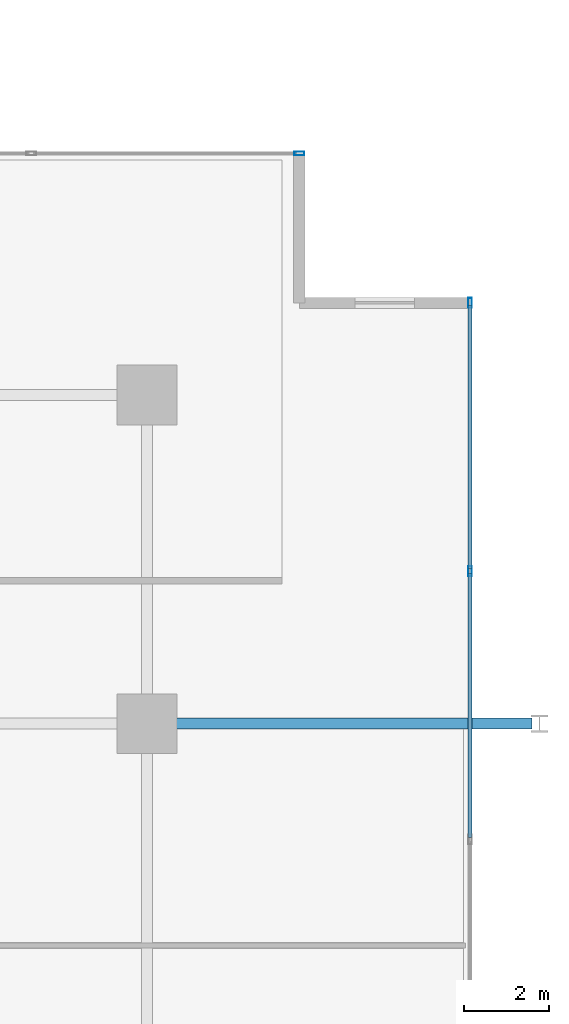
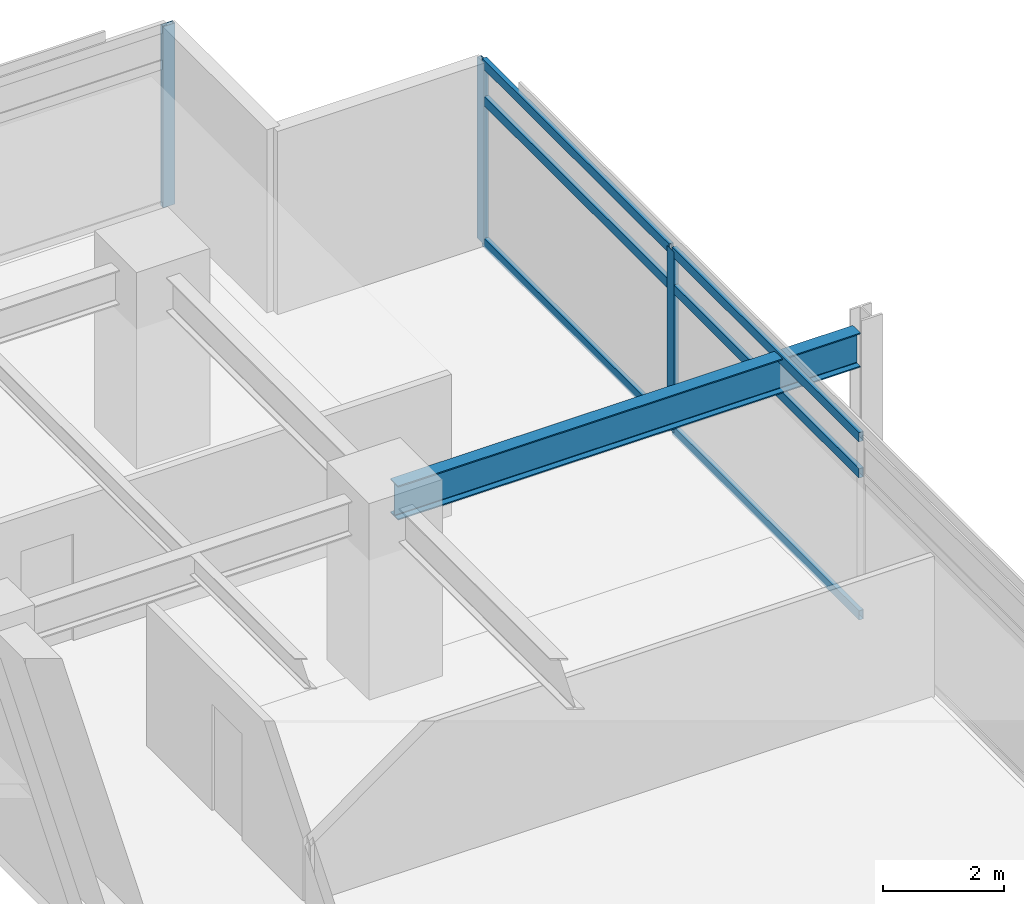
# One storey, part 12 of 22: 9 members, 1 beam, 2 elements without a shape of their own.
"""IFC4 building model written with IfcOpenShell, lengths in metres."""

from ifc_helpers import new_model, si_unit, direction, frame, origin, origin_2d, place, context, subcontext, project, spatial, hollow_rectangle, i_section, extrude, material, material_profile, profile_set, type_object, element, aggregate, save


model = new_model("IFC4")

# Units and contexts
model_context = context("Model", 3, precision=1e-05, world=origin(), true_north=direction((0.0, 1.0)))
body_context = subcontext(model_context, "Body", "Model", "MODEL_VIEW")
ifc_project = project(units=[si_unit("LENGTHUNIT", "METRE"), si_unit("AREAUNIT", "SQUARE_METRE"), si_unit("VOLUMEUNIT", "CUBIC_METRE"), si_unit("PLANEANGLEUNIT", "RADIAN"), si_unit("MASSUNIT", "GRAM", prefix="KILO")], contexts=[model_context])

# Site, building, storey
site_placement = place(None, origin())
site = spatial("IfcSite", under=ifc_project, at=site_placement, CompositionType="ELEMENT")
building_placement = place(site_placement, origin())
building = spatial("IfcBuilding", under=site, at=building_placement, Name="Kovane Verandah Tower", CompositionType="ELEMENT")
storey_placement = place(building_placement, frame((0.0, 0.0, 229.199951171875)))
storey = spatial("IfcBuildingStorey", under=building, at=storey_placement, Name="L53", CompositionType="ELEMENT", Elevation=229.199951171875)

# Beam
ifc_material_1 = material(Name="Steel S355", Category="steel")
ifc_material_profile_1 = material_profile(ifc_material_1, i_section(OverallWidth=0.255859375, OverallDepth=0.69287109375, WebThickness=0.014404296875, FlangeThickness=0.023681640625, FilletRadius=0.01513671875, at=origin_2d()), Name="UB686x254x170")
ifc_profile_set_1 = profile_set([ifc_material_profile_1], Name="Steel S355")
beam_type = type_object("IfcBeamType", Name="BM-UB686x170", PredefinedType="BEAM", material=ifc_profile_set_1)
beam_placement = place(storey_placement, frame((58.580078125, 36.5, 3.353759765625), z_axis=(1.0, 0.0, 0.0), x_axis=(0.0, 1.0, 0.0)))
element("IfcBeam", 1, at=beam_placement, inside=storey, type_object=beam_type, Name="L53 Primary Tower Girder G-VE2", PredefinedType="BEAM", context=body_context, shape_type="SweptSolid", body=[
    extrude(i_section(OverallWidth=0.255859375, OverallDepth=0.69287109375, WebThickness=0.014404296875, FlangeThickness=0.023681640625, FilletRadius=0.01513671875, at=origin_2d()), origin(), (0.0, 0.0, 1.0), 8.83984375),
])

# Curtain wall, members
ifc_material_2 = material(Name="Champagne Anodised Aluminium Frame with Low-E Clear Laminated Glass", Category="aluminium")
curtain_wall_type = type_object("IfcCurtainWallType", Name="CW-SYS-03-MID", PredefinedType="NOTDEFINED", material=ifc_material_2)
curtain_wall_1_placement = place(storey_placement, origin())
curtain_wall_1 = element("IfcCurtainWall", 2, at=curtain_wall_1_placement, inside=storey, type_object=curtain_wall_type, Name="L53 E Unitised Curtain Wall", PredefinedType="NOTDEFINED")
ifc_material_3 = material(Name="Champagne Anodised Aluminium 6063-T6", Category="aluminium")
ifc_material_profile_2 = material_profile(ifc_material_3, hollow_rectangle(XDim=0.0849609375, YDim=0.22998046875, WallThickness=0.00390625, at=origin_2d()), Name="AL85x230x4")
ifc_profile_set_2 = profile_set([ifc_material_profile_2], Name="Champagne Anodised Aluminium 6063-T6")
member_type_1 = type_object("IfcMemberType", Name="CW-MUL-85x230", PredefinedType="MULLION", material=ifc_profile_set_2)
member_1_placement = place(storey_placement, frame((65.96923828125, 40.073486328125, 0.02001953125), z_axis=(0.0, 0.0, 1.0), x_axis=(1.0, 0.0, 0.0)))
member_1 = element("IfcMember", 3, at=member_1_placement, type_object=member_type_1, Name="L53 E Unitised Curtain Wall Mullion 6", PredefinedType="MULLION", context=body_context, shape_type="SweptSolid", body=[
    extrude(hollow_rectangle(XDim=0.0849609375, YDim=0.22998046875, WallThickness=0.00390625, at=origin_2d()), origin(), (0.0, 0.0, 1.0), 3.659912109375),
])
member_2_placement = place(storey_placement, frame((65.96923828125, 46.360107421875, 0.02001953125), z_axis=(0.0, 0.0, 1.0), x_axis=(1.0, 0.0, 0.0)))
member_2 = element("IfcMember", 4, at=member_2_placement, type_object=member_type_1, Name="L53 E Unitised Curtain Wall Mullion 7", PredefinedType="MULLION", context=body_context, shape_type="SweptSolid", body=[
    extrude(hollow_rectangle(XDim=0.0849609375, YDim=0.22998046875, WallThickness=0.00390625, at=origin_2d()), origin(), (0.0, 0.0, 1.0), 3.659912109375),
])

# Curtain wall, member
curtain_wall_2_placement = place(storey_placement, origin())
curtain_wall_2 = element("IfcCurtainWall", 5, at=curtain_wall_2_placement, inside=storey, type_object=curtain_wall_type, Name="L53 N Unitised Curtain Wall", PredefinedType="NOTDEFINED")
member_3_placement = place(storey_placement, frame((61.96923828125, 49.860107421875, 0.02001953125), z_axis=(0.0, 0.0, 1.0), x_axis=(0.0, 1.0, 0.0)))
member_3 = element("IfcMember", 6, at=member_3_placement, type_object=member_type_1, Name="L53 N Unitised Curtain Wall Mullion 1", PredefinedType="MULLION", context=body_context, shape_type="SweptSolid", body=[
    extrude(hollow_rectangle(XDim=0.0849609375, YDim=0.22998046875, WallThickness=0.00390625, at=origin_2d()), origin(), (0.0, 0.0, 1.0), 3.659912109375),
])
aggregate(curtain_wall_2, [member_3])

# Member
ifc_material_profile_3 = material_profile(ifc_material_3, hollow_rectangle(XDim=0.0849609375, YDim=0.18994140625, WallThickness=0.00390625, at=origin_2d()), Name="AL85x190x4")
ifc_profile_set_3 = profile_set([ifc_material_profile_3], Name="Champagne Anodised Aluminium 6063-T6")
member_type_2 = type_object("IfcMemberType", Name="CW-TRN-85x190", PredefinedType="USERDEFINED", material=ifc_profile_set_3)
member_4_placement = place(storey_placement, frame((65.96923828125, 33.836669921875, 0.050048828125), z_axis=(0.0, 1.0, 0.0), x_axis=(-1.0, 0.0, 0.0)))
member_4 = element("IfcMember", 7, at=member_4_placement, type_object=member_type_2, Name="L53 E Unitised Curtain Wall Transom TB Bay 5", ObjectType="TRANSOM", PredefinedType="USERDEFINED", context=body_context, shape_type="SweptSolid", body=[
    extrude(hollow_rectangle(XDim=0.0849609375, YDim=0.18994140625, WallThickness=0.00390625, at=origin_2d()), origin(), (0.0, 0.0, 1.0), 6.186767578125),
])

member_5_placement = place(storey_placement, frame((65.96923828125, 33.836669921875, 2.920166015625), z_axis=(0.0, 1.0, 0.0), x_axis=(-1.0, 0.0, 0.0)))
member_5 = element("IfcMember", 8, at=member_5_placement, type_object=member_type_2, Name="L53 E Unitised Curtain Wall Transom TM Bay 5", ObjectType="TRANSOM", PredefinedType="USERDEFINED", context=body_context, shape_type="SweptSolid", body=[
    extrude(hollow_rectangle(XDim=0.0849609375, YDim=0.18994140625, WallThickness=0.00390625, at=origin_2d()), origin(), (0.0, 0.0, 1.0), 6.186767578125),
])

member_6_placement = place(storey_placement, frame((65.96923828125, 33.836669921875, 3.650146484375), z_axis=(0.0, 1.0, 0.0), x_axis=(-1.0, 0.0, 0.0)))
member_6 = element("IfcMember", 9, at=member_6_placement, type_object=member_type_2, Name="L53 E Unitised Curtain Wall Transom TT Bay 5", ObjectType="TRANSOM", PredefinedType="USERDEFINED", context=body_context, shape_type="SweptSolid", body=[
    extrude(hollow_rectangle(XDim=0.0849609375, YDim=0.18994140625, WallThickness=0.00390625, at=origin_2d()), origin(), (0.0, 0.0, 1.0), 6.186767578125),
])

member_7_placement = place(storey_placement, frame((65.96923828125, 40.123291015625, 0.050048828125), z_axis=(0.0, 1.0, 0.0), x_axis=(-1.0, 0.0, 0.0)))
member_7 = element("IfcMember", 10, at=member_7_placement, type_object=member_type_2, Name="L53 E Unitised Curtain Wall Transom TB Bay 6", ObjectType="TRANSOM", PredefinedType="USERDEFINED", context=body_context, shape_type="SweptSolid", body=[
    extrude(hollow_rectangle(XDim=0.0849609375, YDim=0.18994140625, WallThickness=0.00390625, at=origin_2d()), origin(), (0.0, 0.0, 1.0), 6.186767578125),
])

member_8_placement = place(storey_placement, frame((65.96923828125, 40.123291015625, 2.920166015625), z_axis=(0.0, 1.0, 0.0), x_axis=(-1.0, 0.0, 0.0)))
member_8 = element("IfcMember", 11, at=member_8_placement, type_object=member_type_2, Name="L53 E Unitised Curtain Wall Transom TM Bay 6", ObjectType="TRANSOM", PredefinedType="USERDEFINED", context=body_context, shape_type="SweptSolid", body=[
    extrude(hollow_rectangle(XDim=0.0849609375, YDim=0.18994140625, WallThickness=0.00390625, at=origin_2d()), origin(), (0.0, 0.0, 1.0), 6.186767578125),
])

member_9_placement = place(storey_placement, frame((65.96923828125, 40.123291015625, 3.650146484375), z_axis=(0.0, 1.0, 0.0), x_axis=(-1.0, 0.0, 0.0)))
member_9 = element("IfcMember", 12, at=member_9_placement, type_object=member_type_2, Name="L53 E Unitised Curtain Wall Transom TT Bay 6", ObjectType="TRANSOM", PredefinedType="USERDEFINED", context=body_context, shape_type="SweptSolid", body=[
    extrude(hollow_rectangle(XDim=0.0849609375, YDim=0.18994140625, WallThickness=0.00390625, at=origin_2d()), origin(), (0.0, 0.0, 1.0), 6.186767578125),
])

aggregate(curtain_wall_1, [member_1, member_2, member_4, member_5, member_6, member_7, member_8, member_9])

save(model, "model.ifc")
